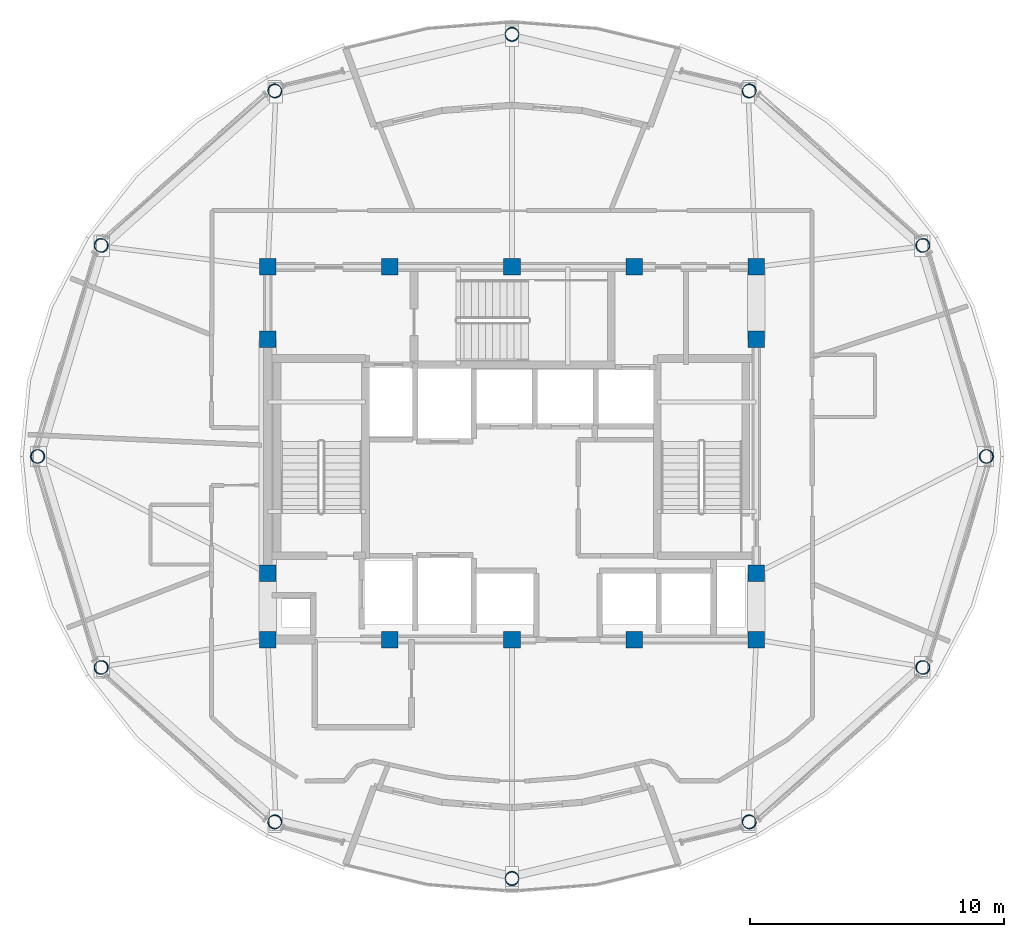
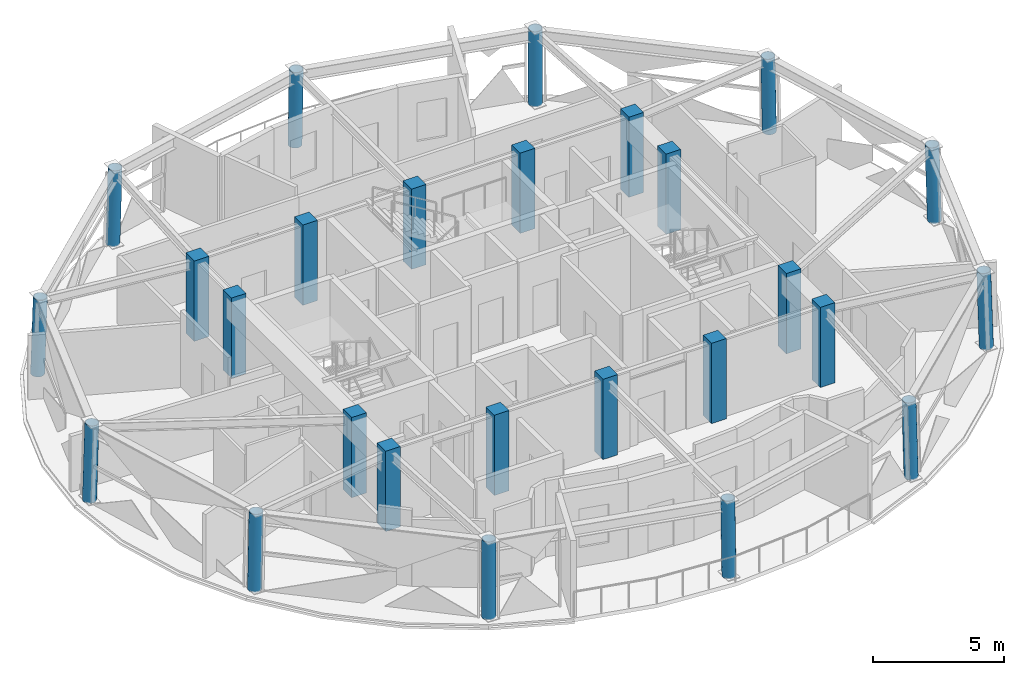
# One storey, part 1 of 13: 26 columns.
"""IFC4 building model written with IfcOpenShell, lengths in metres."""

from ifc_helpers import new_model, si_unit, direction, frame, origin, origin_2d, place, context, subcontext, project, spatial, rectangle, hollow_circle, extrude, material, material_profile, profile_set, type_object, element, save


model = new_model("IFC4")

# Units and contexts
model_context = context("Model", 3, precision=1e-05, world=origin(), true_north=direction((0.0, 1.0)))
body_context = subcontext(model_context, "Body", "Model", "MODEL_VIEW")
ifc_project = project(units=[si_unit("LENGTHUNIT", "METRE"), si_unit("AREAUNIT", "SQUARE_METRE"), si_unit("VOLUMEUNIT", "CUBIC_METRE"), si_unit("PLANEANGLEUNIT", "RADIAN"), si_unit("MASSUNIT", "GRAM", prefix="KILO")], contexts=[model_context])

# Site, building, storey
site_placement = place(None, origin())
site = spatial("IfcSite", under=ifc_project, at=site_placement, CompositionType="ELEMENT")
building_placement = place(site_placement, origin())
building = spatial("IfcBuilding", under=site, at=building_placement, Name="Vantalir Tower", CompositionType="ELEMENT")
storey_placement = place(building_placement, frame((0.0, 0.0, 286.35009765625)))
storey = spatial("IfcBuildingStorey", under=building, at=storey_placement, Name="L72", CompositionType="ELEMENT", Elevation=286.35009765625)

# Columns
ifc_material_1 = material(Name="Concrete C50/60", Category="concrete")
ifc_material_profile_1 = material_profile(ifc_material_1, rectangle(XDim=0.64990234375, YDim=0.64990234375, at=origin_2d()), Name="Concrete C50/60")
ifc_profile_set_1 = profile_set([ifc_material_profile_1], Name="Concrete C50/60")
column_type_1 = type_object("IfcColumnType", Name="COL-CC-650", PredefinedType="COLUMN", material=ifc_profile_set_1)
for number, where, z_axis, x_axis, name in (
    (1, (21.89990234375, 17.800048828125, 0.0), (0.0, 0.0, 1.0), (1.0, 0.0, 0.0), "L72 Core Column CC01"),
    (2, (26.699951171875, 17.800048828125, 0.0), (0.0, 0.0, 1.0), (1.0, 0.0, 0.0), "L72 Core Column CC02"),
    (3, (31.5, 17.800048828125, 0.0), (0.0, 0.0, 1.0), (1.0, 0.0, 0.0), "L72 Core Column CC03"),
    (4, (36.300048828125, 17.800048828125, 0.0), (0.0, 0.0, 1.0), (1.0, 0.0, 0.0), "L72 Core Column CC04"),
    (5, (41.10009765625, 17.800048828125, 0.0), (0.0, 0.0, 1.0), (1.0, 0.0, 0.0), "L72 Core Column CC05"),
    (6, (21.89990234375, 20.39990234375, 0.0), (0.0, 0.0, 1.0), (1.0, 0.0, 0.0), "L72 Core Column CC06"),
    (7, (21.89990234375, 29.60009765625, 0.0), (0.0, 0.0, 1.0), (1.0, 0.0, 0.0), "L72 Core Column CC07"),
    (8, (41.10009765625, 20.39990234375, 0.0), (0.0, 0.0, 1.0), (1.0, 0.0, 0.0), "L72 Core Column CC08"),
    (9, (41.10009765625, 29.60009765625, 0.0), (0.0, 0.0, 1.0), (1.0, 0.0, 0.0), "L72 Core Column CC09"),
    (10, (21.89990234375, 32.449951171875, 0.0), (0.0, 0.0, 1.0), (1.0, 0.0, 0.0), "L72 Core Column CC10"),
    (11, (26.699951171875, 32.449951171875, 0.0), (0.0, 0.0, 1.0), (1.0, 0.0, 0.0), "L72 Core Column CC11"),
    (12, (31.5, 32.449951171875, 0.0), (0.0, 0.0, 1.0), (1.0, 0.0, 0.0), "L72 Core Column CC12"),
    (13, (36.300048828125, 32.449951171875, 0.0), (0.0, 0.0, 1.0), (1.0, 0.0, 0.0), "L72 Core Column CC13"),
    (14, (41.10009765625, 32.449951171875, 0.0), (0.0, 0.0, 1.0), (1.0, 0.0, 0.0), "L72 Core Column CC14"),
):
    element("IfcColumn", number, at=place(storey_placement, frame(where, z_axis=z_axis, x_axis=x_axis)), inside=storey, type_object=column_type_1, Name=name, PredefinedType="COLUMN", context=body_context, shape_type="SweptSolid", body=[
        extrude(rectangle(XDim=0.64990234375, YDim=0.64990234375, at=origin_2d()), origin(), (0.0, 0.0, 1.0), 3.75),
    ])
ifc_material_2 = material(Name="Steel S460", Category="steel")
ifc_material_profile_2 = material_profile(ifc_material_2, hollow_circle(Radius=0.27490234375, WallThickness=0.02490234375, at=origin_2d()), Name="Steel S460")
ifc_profile_set_2 = profile_set([ifc_material_profile_2], Name="Steel S460")
column_type_2 = type_object("IfcColumnType", Name="COL-RC-550", PredefinedType="COLUMN", material=ifc_profile_set_2)
for number, where, z_axis, x_axis, name in (
    (15, (50.1650390625, 25.0, 0.0), (-0.029395033869, 0.0, 0.999567872625), (0.0, -1.0, 0.0), "L72 Perimeter Ring Column RC01"),
    (16, (47.6640625, 33.302978515625, 0.0), (-0.025499013557, -0.013125497595, 0.999588676217), (0.457671144343, -0.889121546042, 0.0), "L72 Perimeter Ring Column RC02"),
):
    element("IfcColumn", number, at=place(storey_placement, frame(where, z_axis=z_axis, x_axis=x_axis)), inside=storey, type_object=column_type_2, Name=name, PredefinedType="COLUMN", context=body_context, shape_type="SweptSolid", body=[
        extrude(hollow_circle(Radius=0.27490234375, WallThickness=0.02490234375, at=origin_2d()), origin(), (0.0, 0.0, 1.0), 3.5712890625),
    ])
for number, where, z_axis, x_axis, name in (
    (17, (40.8330078125, 39.381103515625, 0.0), (-0.014835194319, -0.022697163659, 0.999632310288), (0.837058434918, -0.547113495112, 0.0), "L72 Perimeter Ring Column RC03"),
    (18, (31.5, 41.60595703125, 0.0), (0.0, -0.026321065052, 0.99965354075), (1.0, 0.0, 0.0), "L72 Perimeter Ring Column RC04"),
    (19, (22.16796875, 39.381103515625, 0.0), (0.014561793046, -0.022697254889, 0.999636328273), (0.841672342527, 0.539988581199, 0.0), "L72 Perimeter Ring Column RC05"),
):
    element("IfcColumn", number, at=place(storey_placement, frame(where, z_axis=z_axis, x_axis=x_axis)), inside=storey, type_object=column_type_2, Name=name, PredefinedType="COLUMN", context=body_context, shape_type="SweptSolid", body=[
        extrude(hollow_circle(Radius=0.27490234375, WallThickness=0.02490234375, at=origin_2d()), origin(), (0.0, 0.0, 1.0), 3.571044921875),
    ])
for number, where, z_axis, x_axis, name in (
    (20, (15.3359375, 33.302978515625, 0.0), (0.025499013557, -0.013125497595, 0.999588676217), (0.457671144343, 0.889121546042, 0.0), "L72 Perimeter Ring Column RC06"),
    (21, (12.8349609375, 25.0, 0.0), (0.029395033869, 0.0, 0.999567872625), (0.0, 1.0, 0.0), "L72 Perimeter Ring Column RC07"),
    (22, (15.3359375, 16.697021484375, 0.0), (0.025499013557, 0.013125497595, 0.999588676217), (-0.457671144343, 0.889121546042, 0.0), "L72 Perimeter Ring Column RC08"),
):
    element("IfcColumn", number, at=place(storey_placement, frame(where, z_axis=z_axis, x_axis=x_axis)), inside=storey, type_object=column_type_2, Name=name, PredefinedType="COLUMN", context=body_context, shape_type="SweptSolid", body=[
        extrude(hollow_circle(Radius=0.27490234375, WallThickness=0.02490234375, at=origin_2d()), origin(), (0.0, 0.0, 1.0), 3.5712890625),
    ])
for number, where, z_axis, x_axis, name in (
    (23, (22.1669921875, 10.618896484375, 0.0), (0.014835194319, 0.022697163659, 0.999632310288), (-0.837058434918, 0.547113495112, 0.0), "L72 Perimeter Ring Column RC09"),
    (24, (31.5, 8.39404296875, 0.0), (0.0, 0.026321065052, 0.99965354075), (-1.0, 0.0, 0.0), "L72 Perimeter Ring Column RC10"),
    (25, (40.8330078125, 10.618896484375, 0.0), (-0.014835194319, 0.022697163659, 0.999632310288), (-0.837058434918, -0.547113495112, 0.0), "L72 Perimeter Ring Column RC11"),
):
    element("IfcColumn", number, at=place(storey_placement, frame(where, z_axis=z_axis, x_axis=x_axis)), inside=storey, type_object=column_type_2, Name=name, PredefinedType="COLUMN", context=body_context, shape_type="SweptSolid", body=[
        extrude(hollow_circle(Radius=0.27490234375, WallThickness=0.02490234375, at=origin_2d()), origin(), (0.0, 0.0, 1.0), 3.571044921875),
    ])
column_placement = place(storey_placement, frame((47.6640625, 16.697021484375, 0.0), z_axis=(-0.025499013557, 0.013125497595, 0.999588676217), x_axis=(-0.457671144343, -0.889121546042, 0.0)))
element("IfcColumn", 26, at=column_placement, inside=storey, type_object=column_type_2, Name="L72 Perimeter Ring Column RC12", PredefinedType="COLUMN", context=body_context, shape_type="SweptSolid", body=[
    extrude(hollow_circle(Radius=0.27490234375, WallThickness=0.02490234375, at=origin_2d()), origin(), (0.0, 0.0, 1.0), 3.5712890625),
])

save(model, "model.ifc")
